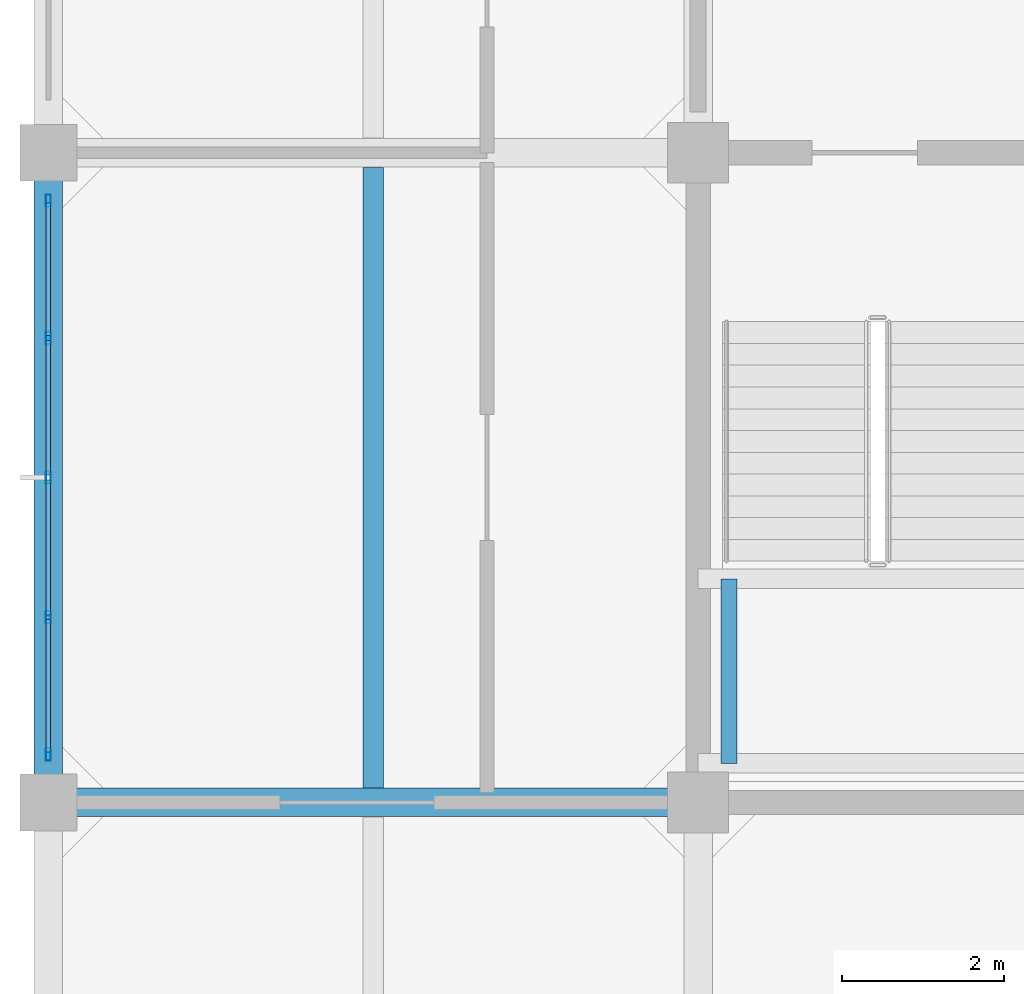
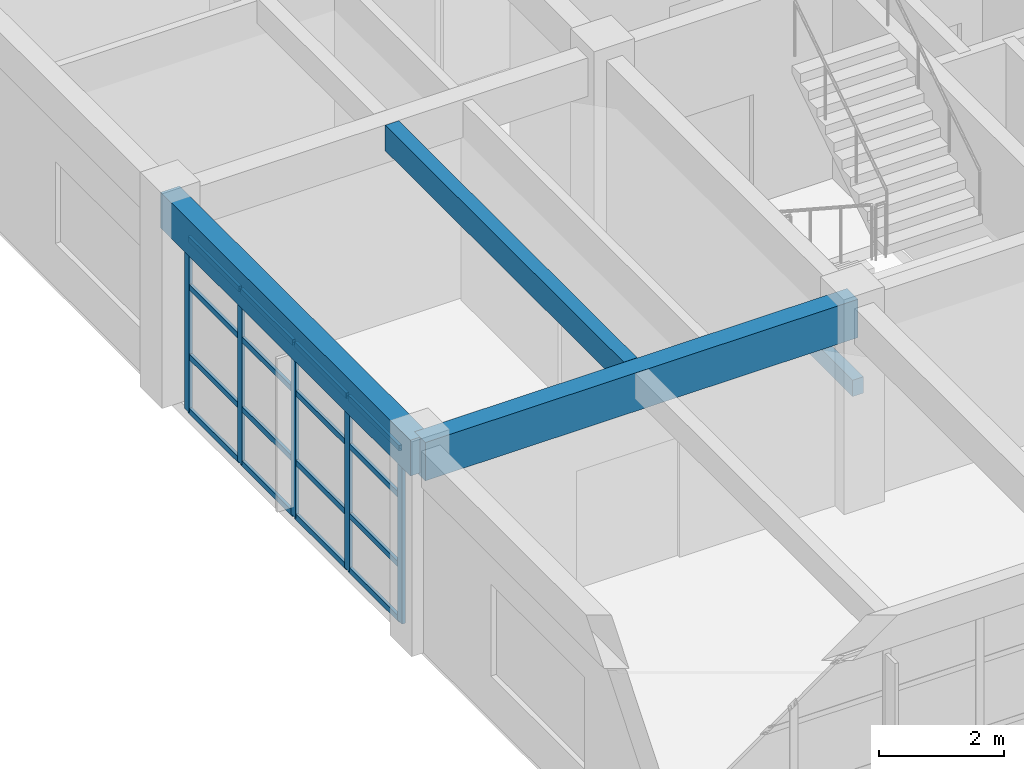
# One storey, part 4 of 19: 21 members, 4 beams, 1 element without a shape of its own.
"""IFC4 building model written with IfcOpenShell, lengths in metres."""

import ifcopenshell
import ifcopenshell.guid

model = None  # the IFC model being written
_history = None  # IfcOwnerHistory: only IFC2X3 demands one
_inside = {}  # id of a spatial element -> (the spatial element, [elements in it])
_under = {}  # id of a project, library or spatial element -> (it, [spatial elements below it])
_declared = {}  # id of a project -> (the project, [libraries it declares])
_typed = {}  # id of a type object -> (the type object, [elements of that type])
_made_of = {}  # id of a material, layer set ... -> (it, [elements and type objects made of it])


def new_model(schema):
    """Start an empty IFC model of exactly this schema.

    Asked for "IFC4X3", IfcOpenShell would pick the latest addendum, in which some entities
    have other attributes; the version numbers below select the first issue.
    IFC2X3 requires an IfcOwnerHistory on every rooted entity: one is made here for all.
    """
    global model, _history
    if schema == "IFC4X3":
        model = ifcopenshell.file(schema_version=(4, 3, 0, 0))
    else:
        model = ifcopenshell.file(schema=schema)
    _inside.clear()
    _under.clear()
    _declared.clear()
    _typed.clear()
    _made_of.clear()
    _history = None
    if model.schema == "IFC2X3":
        org = make("IfcOrganization", Name="unknown")
        user = make(
            "IfcPersonAndOrganization",
            ThePerson=make("IfcPerson", FamilyName="unknown"),
            TheOrganization=org,
        )
        app = make(
            "IfcApplication",
            ApplicationDeveloper=org,
            Version="unknown",
            ApplicationFullName="unknown",
            ApplicationIdentifier="unknown",
        )
        _history = make(
            "IfcOwnerHistory",
            OwningUser=user,
            OwningApplication=app,
            ChangeAction="ADDED",
            CreationDate=0,
        )
    return model


def make(cls, **values):
    """One entity of the class cls with the attributes given. An attribute that is None is left unset."""
    return model.create_entity(
        cls, **{name: value for name, value in values.items() if value is not None}
    )


def rooted(cls, **values):
    """An entity with a GlobalId (a new one), such as an element, a storey or a relation."""
    return make(cls, GlobalId=ifcopenshell.guid.new(), OwnerHistory=_history, **values)


def si_unit(unit_type, name, prefix=None):
    """IfcSIUnit, for example si_unit("LENGTHUNIT", "METRE", prefix="MILLI")."""
    return make("IfcSIUnit", UnitType=unit_type, Prefix=prefix, Name=name)


def assignment(units):
    """IfcUnitAssignment: the units of a project."""
    return None if units is None else make("IfcUnitAssignment", Units=units)


def point(xyz):
    """IfcCartesianPoint."""
    return None if xyz is None else make("IfcCartesianPoint", Coordinates=xyz)


def direction(xyz):
    """IfcDirection."""
    return None if xyz is None else make("IfcDirection", DirectionRatios=xyz)


def frame(location, z_axis=None, x_axis=None):
    """IfcAxis2Placement3D, a coordinate frame: its origin and axes. An axis left out is left unset."""
    return make(
        "IfcAxis2Placement3D",
        Location=point(location),
        Axis=direction(z_axis),
        RefDirection=direction(x_axis),
    )


def frame_2d(location, x_axis=None):
    """IfcAxis2Placement2D, a coordinate frame in the plane: its origin and x axis."""
    return make(
        "IfcAxis2Placement2D", Location=point(location), RefDirection=direction(x_axis)
    )


def origin():
    """The frame at (0, 0, 0) with its axes left unset."""
    return frame((0.0, 0.0, 0.0))


def origin_2d():
    """The frame at (0, 0) in the plane with its x axis left unset."""
    return frame_2d((0.0, 0.0))


def place(relative_to, where):
    """IfcLocalPlacement: puts the frame where relative to a parent placement (None: the world)."""
    return make(
        "IfcLocalPlacement", PlacementRelTo=relative_to, RelativePlacement=where
    )


def context(
    kind, dimensions, precision=None, world=None, true_north=None, identifier=None
):
    """IfcGeometricRepresentationContext, for example the 3D "Model" context."""
    return make(
        "IfcGeometricRepresentationContext",
        ContextIdentifier=identifier,
        ContextType=kind,
        CoordinateSpaceDimension=dimensions,
        Precision=precision,
        WorldCoordinateSystem=world,
        TrueNorth=true_north,
    )


def subcontext(parent, identifier, kind, view, scale=None):
    """IfcGeometricRepresentationSubContext, for example "Body" below "Model"."""
    return make(
        "IfcGeometricRepresentationSubContext",
        ContextIdentifier=identifier,
        ContextType=kind,
        ParentContext=parent,
        TargetScale=scale,
        TargetView=view,
    )


def project(units=None, contexts=None):
    """IfcProject with its units and contexts."""
    return rooted(
        "IfcProject",
        Name="project",
        RepresentationContexts=contexts,
        UnitsInContext=assignment(units),
    )


def spatial(cls, under=None, at=None, **own):
    """A site, building, storey or space (cls), placed at a placement, below another one or the project."""
    s = rooted(cls, ObjectPlacement=at, **own)
    if under is not None:
        _under.setdefault(under.id(), (under, []))[1].append(s)
    return s


def profile(cls, at=None, kind="AREA", **sizes):
    """A parametric profile (cls). Its sizes go by their IFC names, for example OverallWidth=200.0."""
    return make(cls, ProfileType=kind, Position=at, **sizes)


def rectangle(**sizes):
    """IfcRectangleProfileDef."""
    return profile("IfcRectangleProfileDef", **sizes)


def hollow_rectangle(**sizes):
    """IfcRectangleHollowProfileDef."""
    return profile("IfcRectangleHollowProfileDef", **sizes)


def extrude(swept, where, along, depth):
    """IfcExtrudedAreaSolid: the profile swept, set in the frame where, extruded along a direction by depth."""
    return make(
        "IfcExtrudedAreaSolid",
        SweptArea=swept,
        Position=where,
        ExtrudedDirection=direction(along),
        Depth=depth,
    )


def shape(context_of_items, identifier, shape_type, items):
    """IfcShapeRepresentation: the items that make up one representation, for example the "Body"."""
    return make(
        "IfcShapeRepresentation",
        ContextOfItems=context_of_items,
        RepresentationIdentifier=identifier,
        RepresentationType=shape_type,
        Items=items,
    )


def material(Name=None, Category=None):
    """IfcMaterial."""
    return make("IfcMaterial", Name=Name, Category=Category)


def layer(
    of_material, thickness, ventilated=None, Name=None, Category=None, Priority=None
):
    """IfcMaterialLayer: one layer of a wall or slab, of a material (None: an air gap)."""
    return make(
        "IfcMaterialLayer",
        Material=of_material,
        LayerThickness=thickness,
        IsVentilated=ventilated,
        Name=Name,
        Category=Category,
        Priority=Priority,
    )


def layer_set(layers, Name=None):
    """IfcMaterialLayerSet."""
    return make("IfcMaterialLayerSet", MaterialLayers=layers, LayerSetName=Name)


def material_profile(
    of_material, cross_section, Name=None, Category=None, Priority=None
):
    """IfcMaterialProfile: a cross section and its material."""
    return make(
        "IfcMaterialProfile",
        Name=Name,
        Material=of_material,
        Profile=cross_section,
        Priority=Priority,
        Category=Category,
    )


def profile_set(profiles, Name=None, composite=None):
    """IfcMaterialProfileSet."""
    return make(
        "IfcMaterialProfileSet",
        Name=Name,
        MaterialProfiles=profiles,
        CompositeProfile=composite,
    )


def made_of(thing, what):
    """Note that an element or type object is made of a material, layer set ...; save() writes the relation."""
    if what is not None:
        _made_of.setdefault(what.id(), (what, []))[1].append(thing)
    return thing


def type_object(cls, material=None, **own):
    """A type object (cls), such as IfcWallType, which elements share."""
    return made_of(rooted(cls, **own), material)


def element(
    cls,
    number,
    at=None,
    inside=None,
    cuts=None,
    type_object=None,
    material=None,
    context=None,
    identifier="Body",
    shape_type=None,
    held_by="IfcProductDefinitionShape",
    body=None,
    shapes=None,
    **own,
):
    """One element of the class cls, such as IfcWall. Its Tag is "e" and its number.

    at: its placement. inside: the storey or other place that contains it. cuts: it is an
    opening in that element (IfcRelVoidsElement). A single representation is given by context,
    identifier, shape_type and body (its items); several are given by shapes. held_by: the class
    of the entity that holds the representations. save() writes the other relations.
    """
    e = rooted(cls, Tag="e%d" % number, ObjectPlacement=at, **own)
    if body is not None:
        shapes = [shape(context, identifier, shape_type, body)]
    if shapes is not None:
        e.Representation = make(held_by, Representations=shapes)
    if inside is not None:
        _inside.setdefault(inside.id(), (inside, []))[1].append(e)
    if cuts is not None:
        rooted(
            "IfcRelVoidsElement", RelatingBuildingElement=cuts, RelatedOpeningElement=e
        )
    if type_object is not None:
        _typed.setdefault(type_object.id(), (type_object, []))[1].append(e)
    return made_of(e, material)


def aggregate(whole, parts):
    """IfcRelAggregates: a whole, such as a stair, and the parts it consists of."""
    return rooted("IfcRelAggregates", RelatingObject=whole, RelatedObjects=parts)


def save(model, path):
    """Write the relations noted so far, then the file.

    IfcRelAggregates (storeys below a building ...), IfcRelContainedInSpatialStructure (elements
    in a storey), IfcRelDefinesByType, IfcRelAssociatesMaterial and IfcRelDeclares: one each for
    every whole, place, type object, material and project.
    """
    for whole, parts in _under.values():
        aggregate(whole, parts)
    for where, things in _inside.values():
        rooted(
            "IfcRelContainedInSpatialStructure",
            RelatedElements=things,
            RelatingStructure=where,
        )
    for kind, things in _typed.values():
        rooted("IfcRelDefinesByType", RelatedObjects=things, RelatingType=kind)
    for what, things in _made_of.values():
        rooted("IfcRelAssociatesMaterial", RelatedObjects=things, RelatingMaterial=what)
    for by, libraries in _declared.values():
        rooted("IfcRelDeclares", RelatingContext=by, RelatedDefinitions=libraries)
    model.write(path)


model = new_model("IFC4")

# Units and contexts
model_context = context("Model", 3, precision=1e-05, world=origin(), true_north=direction((0.0, 1.0)))
body_context = subcontext(model_context, "Body", "Model", "MODEL_VIEW")
ifc_project = project(units=[si_unit("LENGTHUNIT", "METRE"), si_unit("AREAUNIT", "SQUARE_METRE"), si_unit("VOLUMEUNIT", "CUBIC_METRE"), si_unit("PLANEANGLEUNIT", "RADIAN"), si_unit("MASSUNIT", "GRAM", prefix="KILO")], contexts=[model_context])

# Site, building, storey
site_placement = place(None, origin())
site = spatial("IfcSite", under=ifc_project, at=site_placement, CompositionType="ELEMENT")
building_placement = place(site_placement, origin())
building = spatial("IfcBuilding", under=site, at=building_placement, Name="Canggui Botanical Conservatory", CompositionType="ELEMENT")
storey_placement = place(building_placement, frame((0.0, 0.0, 48.60009765625)))
storey = spatial("IfcBuildingStorey", under=building, at=storey_placement, Name="L12", CompositionType="ELEMENT", Elevation=48.60009765625)

# Beams
ifc_material_1 = material(Name="Concrete C35", Category="concrete")
ifc_material_profile_1 = material_profile(ifc_material_1, rectangle(XDim=0.25, YDim=0.5, at=origin_2d()), Name="RB 250x500")
ifc_profile_set_1 = profile_set([ifc_material_profile_1], Name="Concrete C35")
beam_type_1 = type_object("IfcBeamType", Name="BM-JST04", PredefinedType="JOIST", material=ifc_profile_set_1)
beam_1_placement = place(storey_placement, frame((150.0, 42.179931640625, 3.7099609375), z_axis=(0.0, 1.0, 0.0), x_axis=(-1.0, 0.0, 0.0)))
element("IfcBeam", 1, at=beam_1_placement, inside=storey, type_object=beam_type_1, Name="Secondary Floor Joist L12-1-2", PredefinedType="JOIST", context=body_context, shape_type="SweptSolid", body=[
    extrude(rectangle(XDim=0.25, YDim=0.5, at=origin_2d()), origin(), (0.0, 0.0, 1.0), 7.64013671875),
])
ifc_material_profile_2 = material_profile(ifc_material_1, rectangle(XDim=0.35009765625, YDim=0.75, at=origin_2d()), Name="RB 350x750")
ifc_profile_set_2 = profile_set([ifc_material_profile_2], Name="Concrete C35")
beam_type_2 = type_object("IfcBeamType", Name="BM-KL16", PredefinedType="BEAM", material=ifc_profile_set_2)
beam_2_placement = place(storey_placement, frame((146.0, 42.0, 3.5849609375), z_axis=(1.0, 0.0, 0.0), x_axis=(0.0, 1.0, 0.0)))
element("IfcBeam", 2, at=beam_2_placement, inside=storey, type_object=beam_type_2, Name="Frame Girder L12 Y42-1", PredefinedType="BEAM", context=body_context, shape_type="SweptSolid", body=[
    extrude(rectangle(XDim=0.35009765625, YDim=0.75, at=origin_2d()), origin(), (0.0, 0.0, 1.0), 8.0),
])
ifc_material_profile_3 = material_profile(ifc_material_1, rectangle(XDim=0.35009765625, YDim=0.699951171875, at=origin_2d()), Name="RB 350x700")
ifc_profile_set_3 = profile_set([ifc_material_profile_3], Name="Concrete C35")
beam_type_3 = type_object("IfcBeamType", Name="BM-KL17", PredefinedType="BEAM", material=ifc_profile_set_3)
beam_3_placement = place(storey_placement, frame((146.0, 42.0, 3.60986328125), z_axis=(0.0, 1.0, 0.0), x_axis=(-1.0, 0.0, 0.0)))
element("IfcBeam", 3, at=beam_3_placement, inside=storey, type_object=beam_type_3, Name="Frame Girder L12 X146-2", PredefinedType="BEAM", context=body_context, shape_type="SweptSolid", body=[
    extrude(rectangle(XDim=0.35009765625, YDim=0.699951171875, at=origin_2d()), origin(), (0.0, 0.0, 1.0), 8.0),
])
ifc_material_profile_4 = material_profile(ifc_material_1, rectangle(XDim=0.199951171875, YDim=0.320068359375, at=origin_2d()), Name="RB 200x320")
ifc_profile_set_4 = profile_set([ifc_material_profile_4], Name="Concrete C35")
beam_type_4 = type_object("IfcBeamType", Name="BM-LIN02", PredefinedType="LINTEL", material=ifc_profile_set_4)
beam_4_placement = place(storey_placement, frame((154.3798828125, 42.47998046875, 1.719970703125), z_axis=(0.0, 1.0, 0.0), x_axis=(-1.0, 0.0, 0.0)))
element("IfcBeam", 4, at=beam_4_placement, inside=storey, type_object=beam_type_4, Name="ST-T1 Half-Landing Edge Ledger L12-1.3", PredefinedType="LINTEL", context=body_context, shape_type="SweptSolid", body=[
    extrude(rectangle(XDim=0.199951171875, YDim=0.320068359375, at=origin_2d()), origin(), (0.0, 0.0, 1.0), 2.2724609375),
])

# Curtain wall, members
ifc_material_2 = material(Name="Thermally Broken Aluminium", Category="aluminium")
ifc_layer = layer(ifc_material_2, 0.14990234375, Name="Thermally Broken Aluminium", Category="aluminium")
ifc_layer_set = layer_set([ifc_layer], Name="Thermally Broken Aluminium")
curtain_wall_type = type_object("IfcCurtainWallType", Name="CW-UNIT-C", PredefinedType="USERDEFINED", material=ifc_layer_set)
curtain_wall_placement = place(storey_placement, origin())
curtain_wall = element("IfcCurtainWall", 5, at=curtain_wall_placement, inside=storey, type_object=curtain_wall_type, Name="Facade Curtain Wall CW-TWR-L12-06", ObjectType="UNITISED CURTAIN WALL", PredefinedType="USERDEFINED")
ifc_material_profile_5 = material_profile(ifc_material_2, hollow_rectangle(XDim=0.06005859375, YDim=0.14990234375, WallThickness=0.00341796875, at=origin_2d()), Name="CWM 60x150x3.5")
ifc_profile_set_5 = profile_set([ifc_material_profile_5], Name="Thermally Broken Aluminium")
member_type_1 = type_object("IfcMemberType", Name="CWM-03", PredefinedType="MULLION", material=ifc_profile_set_5)
member_1_placement = place(storey_placement, frame((146.0, 42.590087890625, 0.0), z_axis=(0.0, 0.0, 1.0), x_axis=(-1.0, 0.0, 0.0)))
member_1 = element("IfcMember", 6, at=member_1_placement, type_object=member_type_1, Name="CW-03 mullion 1", PredefinedType="MULLION", context=body_context, shape_type="SweptSolid", body=[
    extrude(hollow_rectangle(XDim=0.06005859375, YDim=0.14990234375, WallThickness=0.00341796875, at=origin_2d()), origin(), (0.0, 0.0, 1.0), 3.39990234375),
])
member_2_placement = place(storey_placement, frame((146.0, 44.280029296875, 0.0), z_axis=(0.0, 0.0, 1.0), x_axis=(-1.0, 0.0, 0.0)))
member_2 = element("IfcMember", 7, at=member_2_placement, type_object=member_type_1, Name="CW-03 mullion 2", PredefinedType="MULLION", context=body_context, shape_type="SweptSolid", body=[
    extrude(hollow_rectangle(XDim=0.06005859375, YDim=0.14990234375, WallThickness=0.00341796875, at=origin_2d()), origin(), (0.0, 0.0, 1.0), 3.39990234375),
])
member_3_placement = place(storey_placement, frame((146.0, 46.0, 0.0), z_axis=(0.0, 0.0, 1.0), x_axis=(-1.0, 0.0, 0.0)))
member_3 = element("IfcMember", 8, at=member_3_placement, type_object=member_type_1, Name="CW-03 mullion 3", PredefinedType="MULLION", context=body_context, shape_type="SweptSolid", body=[
    extrude(hollow_rectangle(XDim=0.06005859375, YDim=0.14990234375, WallThickness=0.00341796875, at=origin_2d()), origin(), (0.0, 0.0, 1.0), 3.39990234375),
])
member_4_placement = place(storey_placement, frame((146.0, 47.719970703125, 0.0), z_axis=(0.0, 0.0, 1.0), x_axis=(-1.0, 0.0, 0.0)))
member_4 = element("IfcMember", 9, at=member_4_placement, type_object=member_type_1, Name="CW-03 mullion 4", PredefinedType="MULLION", context=body_context, shape_type="SweptSolid", body=[
    extrude(hollow_rectangle(XDim=0.06005859375, YDim=0.14990234375, WallThickness=0.00341796875, at=origin_2d()), origin(), (0.0, 0.0, 1.0), 3.39990234375),
])
member_5_placement = place(storey_placement, frame((146.0, 49.409912109375, 0.0), z_axis=(0.0, 0.0, 1.0), x_axis=(-1.0, 0.0, 0.0)))
member_5 = element("IfcMember", 10, at=member_5_placement, type_object=member_type_1, Name="CW-03 mullion 5", PredefinedType="MULLION", context=body_context, shape_type="SweptSolid", body=[
    extrude(hollow_rectangle(XDim=0.06005859375, YDim=0.14990234375, WallThickness=0.00341796875, at=origin_2d()), origin(), (0.0, 0.0, 1.0), 3.39990234375),
])
ifc_material_profile_6 = material_profile(ifc_material_2, hollow_rectangle(XDim=0.054931640625, YDim=0.110107421875, WallThickness=0.0029296875, at=origin_2d()), Name="CWT 55x110x3")
ifc_profile_set_6 = profile_set([ifc_material_profile_6], Name="Thermally Broken Aluminium")
member_type_2 = type_object("IfcMemberType", Name="CWT-03", PredefinedType="USERDEFINED", material=ifc_profile_set_6)
member_6_placement = place(storey_placement, frame((146.0, 42.6201171875, 0.02734375), z_axis=(0.0, 1.0, 0.0), x_axis=(-1.0, 0.0, 0.0)))
member_6 = element("IfcMember", 11, at=member_6_placement, type_object=member_type_2, Name="CW-03 transom 1.1", ObjectType="TRANSOM", PredefinedType="USERDEFINED", context=body_context, shape_type="SweptSolid", body=[
    extrude(hollow_rectangle(XDim=0.054931640625, YDim=0.110107421875, WallThickness=0.0029296875, at=origin_2d()), origin(), (0.0, 0.0, 1.0), 1.6298828125),
])
member_7_placement = place(storey_placement, frame((146.0, 42.6201171875, 1.087890625), z_axis=(0.0, 1.0, 0.0), x_axis=(-1.0, 0.0, 0.0)))
member_7 = element("IfcMember", 12, at=member_7_placement, type_object=member_type_2, Name="CW-03 transom 1.2", ObjectType="TRANSOM", PredefinedType="USERDEFINED", context=body_context, shape_type="SweptSolid", body=[
    extrude(hollow_rectangle(XDim=0.054931640625, YDim=0.110107421875, WallThickness=0.0029296875, at=origin_2d()), origin(), (0.0, 0.0, 1.0), 1.6298828125),
])
member_8_placement = place(storey_placement, frame((146.0, 42.6201171875, 2.447998046875), z_axis=(0.0, 1.0, 0.0), x_axis=(-1.0, 0.0, 0.0)))
member_8 = element("IfcMember", 13, at=member_8_placement, type_object=member_type_2, Name="CW-03 transom 1.3", ObjectType="TRANSOM", PredefinedType="USERDEFINED", context=body_context, shape_type="SweptSolid", body=[
    extrude(hollow_rectangle(XDim=0.054931640625, YDim=0.110107421875, WallThickness=0.0029296875, at=origin_2d()), origin(), (0.0, 0.0, 1.0), 1.6298828125),
])
member_9_placement = place(storey_placement, frame((146.0, 42.6201171875, 3.372314453125), z_axis=(0.0, 1.0, 0.0), x_axis=(-1.0, 0.0, 0.0)))
member_9 = element("IfcMember", 14, at=member_9_placement, type_object=member_type_2, Name="CW-03 transom 1.4", ObjectType="TRANSOM", PredefinedType="USERDEFINED", context=body_context, shape_type="SweptSolid", body=[
    extrude(hollow_rectangle(XDim=0.054931640625, YDim=0.110107421875, WallThickness=0.0029296875, at=origin_2d()), origin(), (0.0, 0.0, 1.0), 1.6298828125),
])
member_10_placement = place(storey_placement, frame((146.0, 44.31005859375, 0.02734375), z_axis=(0.0, 1.0, 0.0), x_axis=(-1.0, 0.0, 0.0)))
member_10 = element("IfcMember", 15, at=member_10_placement, type_object=member_type_2, Name="CW-03 transom 2.1", ObjectType="TRANSOM", PredefinedType="USERDEFINED", context=body_context, shape_type="SweptSolid", body=[
    extrude(hollow_rectangle(XDim=0.054931640625, YDim=0.110107421875, WallThickness=0.0029296875, at=origin_2d()), origin(), (0.0, 0.0, 1.0), 1.659912109375),
])
member_11_placement = place(storey_placement, frame((146.0, 44.31005859375, 1.087890625), z_axis=(0.0, 1.0, 0.0), x_axis=(-1.0, 0.0, 0.0)))
member_11 = element("IfcMember", 16, at=member_11_placement, type_object=member_type_2, Name="CW-03 transom 2.2", ObjectType="TRANSOM", PredefinedType="USERDEFINED", context=body_context, shape_type="SweptSolid", body=[
    extrude(hollow_rectangle(XDim=0.054931640625, YDim=0.110107421875, WallThickness=0.0029296875, at=origin_2d()), origin(), (0.0, 0.0, 1.0), 1.659912109375),
])
member_12_placement = place(storey_placement, frame((146.0, 44.31005859375, 2.447998046875), z_axis=(0.0, 1.0, 0.0), x_axis=(-1.0, 0.0, 0.0)))
member_12 = element("IfcMember", 17, at=member_12_placement, type_object=member_type_2, Name="CW-03 transom 2.3", ObjectType="TRANSOM", PredefinedType="USERDEFINED", context=body_context, shape_type="SweptSolid", body=[
    extrude(hollow_rectangle(XDim=0.054931640625, YDim=0.110107421875, WallThickness=0.0029296875, at=origin_2d()), origin(), (0.0, 0.0, 1.0), 1.659912109375),
])
member_13_placement = place(storey_placement, frame((146.0, 44.31005859375, 3.372314453125), z_axis=(0.0, 1.0, 0.0), x_axis=(-1.0, 0.0, 0.0)))
member_13 = element("IfcMember", 18, at=member_13_placement, type_object=member_type_2, Name="CW-03 transom 2.4", ObjectType="TRANSOM", PredefinedType="USERDEFINED", context=body_context, shape_type="SweptSolid", body=[
    extrude(hollow_rectangle(XDim=0.054931640625, YDim=0.110107421875, WallThickness=0.0029296875, at=origin_2d()), origin(), (0.0, 0.0, 1.0), 1.659912109375),
])
member_14_placement = place(storey_placement, frame((146.0, 46.030029296875, 0.02734375), z_axis=(0.0, 1.0, 0.0), x_axis=(-1.0, 0.0, 0.0)))
member_14 = element("IfcMember", 19, at=member_14_placement, type_object=member_type_2, Name="CW-03 transom 3.1", ObjectType="TRANSOM", PredefinedType="USERDEFINED", context=body_context, shape_type="SweptSolid", body=[
    extrude(hollow_rectangle(XDim=0.054931640625, YDim=0.110107421875, WallThickness=0.0029296875, at=origin_2d()), origin(), (0.0, 0.0, 1.0), 1.659912109375),
])
member_15_placement = place(storey_placement, frame((146.0, 46.030029296875, 1.087890625), z_axis=(0.0, 1.0, 0.0), x_axis=(-1.0, 0.0, 0.0)))
member_15 = element("IfcMember", 20, at=member_15_placement, type_object=member_type_2, Name="CW-03 transom 3.2", ObjectType="TRANSOM", PredefinedType="USERDEFINED", context=body_context, shape_type="SweptSolid", body=[
    extrude(hollow_rectangle(XDim=0.054931640625, YDim=0.110107421875, WallThickness=0.0029296875, at=origin_2d()), origin(), (0.0, 0.0, 1.0), 1.659912109375),
])
member_16_placement = place(storey_placement, frame((146.0, 46.030029296875, 2.447998046875), z_axis=(0.0, 1.0, 0.0), x_axis=(-1.0, 0.0, 0.0)))
member_16 = element("IfcMember", 21, at=member_16_placement, type_object=member_type_2, Name="CW-03 transom 3.3", ObjectType="TRANSOM", PredefinedType="USERDEFINED", context=body_context, shape_type="SweptSolid", body=[
    extrude(hollow_rectangle(XDim=0.054931640625, YDim=0.110107421875, WallThickness=0.0029296875, at=origin_2d()), origin(), (0.0, 0.0, 1.0), 1.659912109375),
])
member_17_placement = place(storey_placement, frame((146.0, 46.030029296875, 3.372314453125), z_axis=(0.0, 1.0, 0.0), x_axis=(-1.0, 0.0, 0.0)))
member_17 = element("IfcMember", 22, at=member_17_placement, type_object=member_type_2, Name="CW-03 transom 3.4", ObjectType="TRANSOM", PredefinedType="USERDEFINED", context=body_context, shape_type="SweptSolid", body=[
    extrude(hollow_rectangle(XDim=0.054931640625, YDim=0.110107421875, WallThickness=0.0029296875, at=origin_2d()), origin(), (0.0, 0.0, 1.0), 1.659912109375),
])
member_18_placement = place(storey_placement, frame((146.0, 47.75, 0.02734375), z_axis=(0.0, 1.0, 0.0), x_axis=(-1.0, 0.0, 0.0)))
member_18 = element("IfcMember", 23, at=member_18_placement, type_object=member_type_2, Name="CW-03 transom 4.1", ObjectType="TRANSOM", PredefinedType="USERDEFINED", context=body_context, shape_type="SweptSolid", body=[
    extrude(hollow_rectangle(XDim=0.054931640625, YDim=0.110107421875, WallThickness=0.0029296875, at=origin_2d()), origin(), (0.0, 0.0, 1.0), 1.6298828125),
])
member_19_placement = place(storey_placement, frame((146.0, 47.75, 1.087890625), z_axis=(0.0, 1.0, 0.0), x_axis=(-1.0, 0.0, 0.0)))
member_19 = element("IfcMember", 24, at=member_19_placement, type_object=member_type_2, Name="CW-03 transom 4.2", ObjectType="TRANSOM", PredefinedType="USERDEFINED", context=body_context, shape_type="SweptSolid", body=[
    extrude(hollow_rectangle(XDim=0.054931640625, YDim=0.110107421875, WallThickness=0.0029296875, at=origin_2d()), origin(), (0.0, 0.0, 1.0), 1.6298828125),
])
member_20_placement = place(storey_placement, frame((146.0, 47.75, 2.447998046875), z_axis=(0.0, 1.0, 0.0), x_axis=(-1.0, 0.0, 0.0)))
member_20 = element("IfcMember", 25, at=member_20_placement, type_object=member_type_2, Name="CW-03 transom 4.3", ObjectType="TRANSOM", PredefinedType="USERDEFINED", context=body_context, shape_type="SweptSolid", body=[
    extrude(hollow_rectangle(XDim=0.054931640625, YDim=0.110107421875, WallThickness=0.0029296875, at=origin_2d()), origin(), (0.0, 0.0, 1.0), 1.6298828125),
])
member_21_placement = place(storey_placement, frame((146.0, 47.75, 3.372314453125), z_axis=(0.0, 1.0, 0.0), x_axis=(-1.0, 0.0, 0.0)))
member_21 = element("IfcMember", 26, at=member_21_placement, type_object=member_type_2, Name="CW-03 transom 4.4", ObjectType="TRANSOM", PredefinedType="USERDEFINED", context=body_context, shape_type="SweptSolid", body=[
    extrude(hollow_rectangle(XDim=0.054931640625, YDim=0.110107421875, WallThickness=0.0029296875, at=origin_2d()), origin(), (0.0, 0.0, 1.0), 1.6298828125),
])
aggregate(curtain_wall, [member_1, member_2, member_3, member_4, member_5, member_6, member_7, member_8, member_9, member_10, member_11, member_12, member_13, member_14, member_15, member_16, member_17, member_18, member_19, member_20, member_21])

save(model, "model.ifc")
